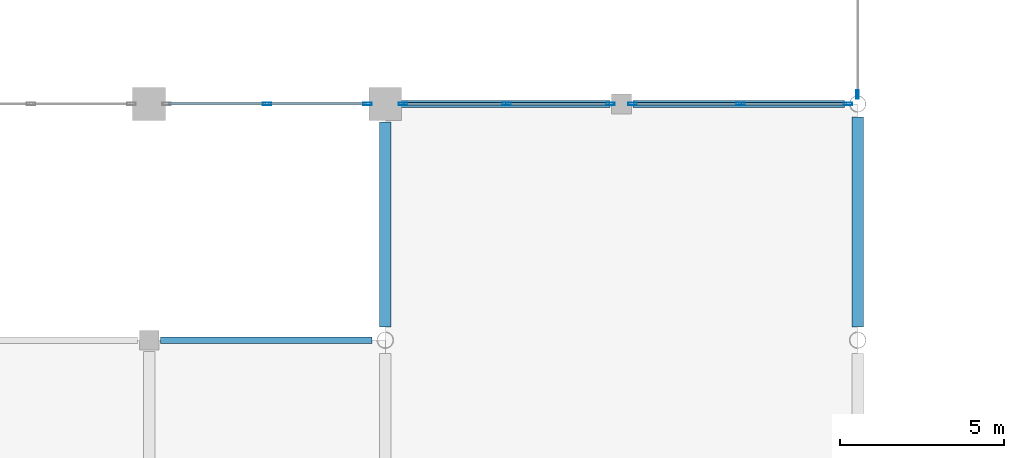
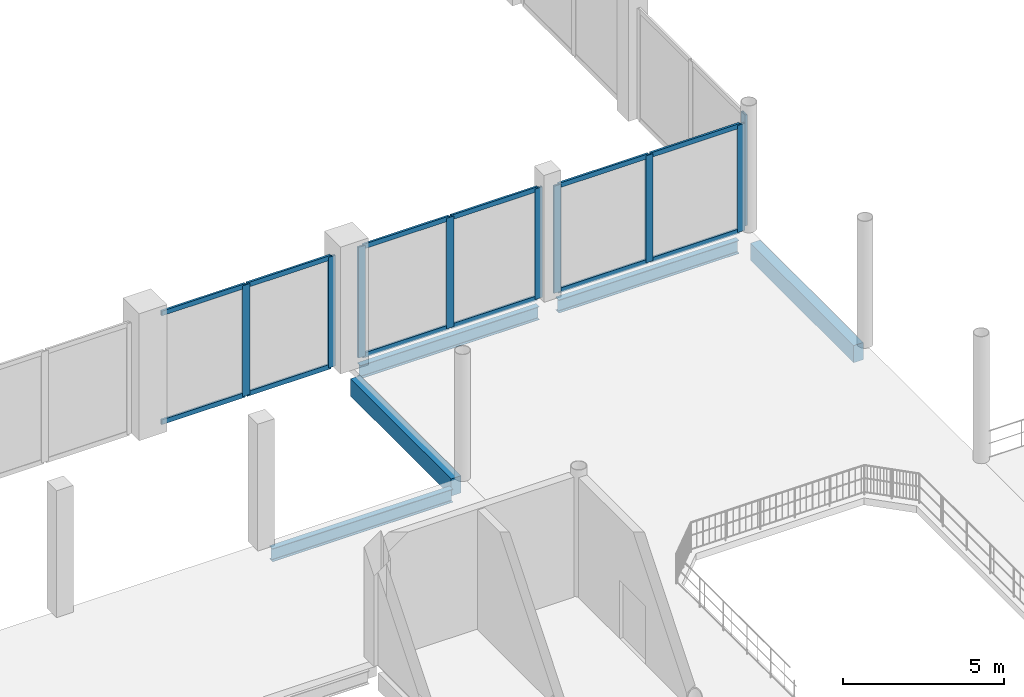
# One storey, part 38 of 99: 21 members, 5 beams, 4 elements without a shape of their own.
"""IFC4 building model written with IfcOpenShell, lengths in metres."""

import ifcopenshell
import ifcopenshell.guid

model = None  # the IFC model being written
_history = None  # IfcOwnerHistory: only IFC2X3 demands one
_inside = {}  # id of a spatial element -> (the spatial element, [elements in it])
_under = {}  # id of a project, library or spatial element -> (it, [spatial elements below it])
_declared = {}  # id of a project -> (the project, [libraries it declares])
_typed = {}  # id of a type object -> (the type object, [elements of that type])
_made_of = {}  # id of a material, layer set ... -> (it, [elements and type objects made of it])


def new_model(schema):
    """Start an empty IFC model of exactly this schema.

    Asked for "IFC4X3", IfcOpenShell would pick the latest addendum, in which some entities
    have other attributes; the version numbers below select the first issue.
    IFC2X3 requires an IfcOwnerHistory on every rooted entity: one is made here for all.
    """
    global model, _history
    if schema == "IFC4X3":
        model = ifcopenshell.file(schema_version=(4, 3, 0, 0))
    else:
        model = ifcopenshell.file(schema=schema)
    _inside.clear()
    _under.clear()
    _declared.clear()
    _typed.clear()
    _made_of.clear()
    _history = None
    if model.schema == "IFC2X3":
        org = make("IfcOrganization", Name="unknown")
        user = make(
            "IfcPersonAndOrganization",
            ThePerson=make("IfcPerson", FamilyName="unknown"),
            TheOrganization=org,
        )
        app = make(
            "IfcApplication",
            ApplicationDeveloper=org,
            Version="unknown",
            ApplicationFullName="unknown",
            ApplicationIdentifier="unknown",
        )
        _history = make(
            "IfcOwnerHistory",
            OwningUser=user,
            OwningApplication=app,
            ChangeAction="ADDED",
            CreationDate=0,
        )
    return model


def make(cls, **values):
    """One entity of the class cls with the attributes given. An attribute that is None is left unset."""
    return model.create_entity(
        cls, **{name: value for name, value in values.items() if value is not None}
    )


def rooted(cls, **values):
    """An entity with a GlobalId (a new one), such as an element, a storey or a relation."""
    return make(cls, GlobalId=ifcopenshell.guid.new(), OwnerHistory=_history, **values)


def si_unit(unit_type, name, prefix=None):
    """IfcSIUnit, for example si_unit("LENGTHUNIT", "METRE", prefix="MILLI")."""
    return make("IfcSIUnit", UnitType=unit_type, Prefix=prefix, Name=name)


def assignment(units):
    """IfcUnitAssignment: the units of a project."""
    return None if units is None else make("IfcUnitAssignment", Units=units)


def point(xyz):
    """IfcCartesianPoint."""
    return None if xyz is None else make("IfcCartesianPoint", Coordinates=xyz)


def direction(xyz):
    """IfcDirection."""
    return None if xyz is None else make("IfcDirection", DirectionRatios=xyz)


def frame(location, z_axis=None, x_axis=None):
    """IfcAxis2Placement3D, a coordinate frame: its origin and axes. An axis left out is left unset."""
    return make(
        "IfcAxis2Placement3D",
        Location=point(location),
        Axis=direction(z_axis),
        RefDirection=direction(x_axis),
    )


def frame_2d(location, x_axis=None):
    """IfcAxis2Placement2D, a coordinate frame in the plane: its origin and x axis."""
    return make(
        "IfcAxis2Placement2D", Location=point(location), RefDirection=direction(x_axis)
    )


def origin():
    """The frame at (0, 0, 0) with its axes left unset."""
    return frame((0.0, 0.0, 0.0))


def origin_2d():
    """The frame at (0, 0) in the plane with its x axis left unset."""
    return frame_2d((0.0, 0.0))


def place(relative_to, where):
    """IfcLocalPlacement: puts the frame where relative to a parent placement (None: the world)."""
    return make(
        "IfcLocalPlacement", PlacementRelTo=relative_to, RelativePlacement=where
    )


def context(
    kind, dimensions, precision=None, world=None, true_north=None, identifier=None
):
    """IfcGeometricRepresentationContext, for example the 3D "Model" context."""
    return make(
        "IfcGeometricRepresentationContext",
        ContextIdentifier=identifier,
        ContextType=kind,
        CoordinateSpaceDimension=dimensions,
        Precision=precision,
        WorldCoordinateSystem=world,
        TrueNorth=true_north,
    )


def subcontext(parent, identifier, kind, view, scale=None):
    """IfcGeometricRepresentationSubContext, for example "Body" below "Model"."""
    return make(
        "IfcGeometricRepresentationSubContext",
        ContextIdentifier=identifier,
        ContextType=kind,
        ParentContext=parent,
        TargetScale=scale,
        TargetView=view,
    )


def project(units=None, contexts=None):
    """IfcProject with its units and contexts."""
    return rooted(
        "IfcProject",
        Name="project",
        RepresentationContexts=contexts,
        UnitsInContext=assignment(units),
    )


def spatial(cls, under=None, at=None, **own):
    """A site, building, storey or space (cls), placed at a placement, below another one or the project."""
    s = rooted(cls, ObjectPlacement=at, **own)
    if under is not None:
        _under.setdefault(under.id(), (under, []))[1].append(s)
    return s


def profile(cls, at=None, kind="AREA", **sizes):
    """A parametric profile (cls). Its sizes go by their IFC names, for example OverallWidth=200.0."""
    return make(cls, ProfileType=kind, Position=at, **sizes)


def rectangle(**sizes):
    """IfcRectangleProfileDef."""
    return profile("IfcRectangleProfileDef", **sizes)


def hollow_rectangle(**sizes):
    """IfcRectangleHollowProfileDef."""
    return profile("IfcRectangleHollowProfileDef", **sizes)


def i_section(**sizes):
    """IfcIShapeProfileDef."""
    return profile("IfcIShapeProfileDef", **sizes)


def extrude(swept, where, along, depth):
    """IfcExtrudedAreaSolid: the profile swept, set in the frame where, extruded along a direction by depth."""
    return make(
        "IfcExtrudedAreaSolid",
        SweptArea=swept,
        Position=where,
        ExtrudedDirection=direction(along),
        Depth=depth,
    )


def shape(context_of_items, identifier, shape_type, items):
    """IfcShapeRepresentation: the items that make up one representation, for example the "Body"."""
    return make(
        "IfcShapeRepresentation",
        ContextOfItems=context_of_items,
        RepresentationIdentifier=identifier,
        RepresentationType=shape_type,
        Items=items,
    )


def material(Name=None, Category=None):
    """IfcMaterial."""
    return make("IfcMaterial", Name=Name, Category=Category)


def material_profile(
    of_material, cross_section, Name=None, Category=None, Priority=None
):
    """IfcMaterialProfile: a cross section and its material."""
    return make(
        "IfcMaterialProfile",
        Name=Name,
        Material=of_material,
        Profile=cross_section,
        Priority=Priority,
        Category=Category,
    )


def profile_set(profiles, Name=None, composite=None):
    """IfcMaterialProfileSet."""
    return make(
        "IfcMaterialProfileSet",
        Name=Name,
        MaterialProfiles=profiles,
        CompositeProfile=composite,
    )


def made_of(thing, what):
    """Note that an element or type object is made of a material, layer set ...; save() writes the relation."""
    if what is not None:
        _made_of.setdefault(what.id(), (what, []))[1].append(thing)
    return thing


def type_object(cls, material=None, **own):
    """A type object (cls), such as IfcWallType, which elements share."""
    return made_of(rooted(cls, **own), material)


def element(
    cls,
    number,
    at=None,
    inside=None,
    cuts=None,
    type_object=None,
    material=None,
    context=None,
    identifier="Body",
    shape_type=None,
    held_by="IfcProductDefinitionShape",
    body=None,
    shapes=None,
    **own,
):
    """One element of the class cls, such as IfcWall. Its Tag is "e" and its number.

    at: its placement. inside: the storey or other place that contains it. cuts: it is an
    opening in that element (IfcRelVoidsElement). A single representation is given by context,
    identifier, shape_type and body (its items); several are given by shapes. held_by: the class
    of the entity that holds the representations. save() writes the other relations.
    """
    e = rooted(cls, Tag="e%d" % number, ObjectPlacement=at, **own)
    if body is not None:
        shapes = [shape(context, identifier, shape_type, body)]
    if shapes is not None:
        e.Representation = make(held_by, Representations=shapes)
    if inside is not None:
        _inside.setdefault(inside.id(), (inside, []))[1].append(e)
    if cuts is not None:
        rooted(
            "IfcRelVoidsElement", RelatingBuildingElement=cuts, RelatedOpeningElement=e
        )
    if type_object is not None:
        _typed.setdefault(type_object.id(), (type_object, []))[1].append(e)
    return made_of(e, material)


def aggregate(whole, parts):
    """IfcRelAggregates: a whole, such as a stair, and the parts it consists of."""
    return rooted("IfcRelAggregates", RelatingObject=whole, RelatedObjects=parts)


def save(model, path):
    """Write the relations noted so far, then the file.

    IfcRelAggregates (storeys below a building ...), IfcRelContainedInSpatialStructure (elements
    in a storey), IfcRelDefinesByType, IfcRelAssociatesMaterial and IfcRelDeclares: one each for
    every whole, place, type object, material and project.
    """
    for whole, parts in _under.values():
        aggregate(whole, parts)
    for where, things in _inside.values():
        rooted(
            "IfcRelContainedInSpatialStructure",
            RelatedElements=things,
            RelatingStructure=where,
        )
    for kind, things in _typed.values():
        rooted("IfcRelDefinesByType", RelatedObjects=things, RelatingType=kind)
    for what, things in _made_of.values():
        rooted("IfcRelAssociatesMaterial", RelatedObjects=things, RelatingMaterial=what)
    for by, libraries in _declared.values():
        rooted("IfcRelDeclares", RelatingContext=by, RelatedDefinitions=libraries)
    model.write(path)


model = new_model("IFC4")

# Units and contexts
model_context = context("Model", 3, precision=1e-05, world=origin(), true_north=direction((0.0, 1.0)))
body_context = subcontext(model_context, "Body", "Model", "MODEL_VIEW")
ifc_project = project(units=[si_unit("LENGTHUNIT", "METRE"), si_unit("AREAUNIT", "SQUARE_METRE"), si_unit("VOLUMEUNIT", "CUBIC_METRE"), si_unit("PLANEANGLEUNIT", "RADIAN"), si_unit("MASSUNIT", "GRAM", prefix="KILO")], contexts=[model_context])

# Site, building, storey
site_placement = place(None, origin())
site = spatial("IfcSite", under=ifc_project, at=site_placement, CompositionType="ELEMENT")
building_placement = place(site_placement, origin())
building = spatial("IfcBuilding", under=site, at=building_placement, Name="Vesperath Aquatics Centre", CompositionType="ELEMENT")
storey_placement = place(building_placement, frame((0.0, 0.0, 5.39990234375)))
storey = spatial("IfcBuildingStorey", under=building, at=storey_placement, Name="L01", CompositionType="ELEMENT", Elevation=5.39990234375)

# Beams
ifc_material_1 = material(Name="Concrete C35", Category="concrete")
ifc_material_profile_1 = material_profile(ifc_material_1, rectangle(XDim=0.35009765625, YDim=0.64990234375, at=origin_2d()), Name="RC 350x650")
ifc_profile_set_1 = profile_set([ifc_material_profile_1], Name="Concrete C35")
beam_type_1 = type_object("IfcBeamType", Name="BM-G05", PredefinedType="BEAM", material=ifc_profile_set_1)
beam_1_placement = place(storey_placement, frame((100.800048828125, 79.60009765625, -0.5849609375), z_axis=(0.0, 1.0, 0.0), x_axis=(-1.0, 0.0, 0.0)))
element("IfcBeam", 1, at=beam_1_placement, inside=storey, type_object=beam_type_1, Name="Floor Girder B05 L01 15 M-N", PredefinedType="BEAM", context=body_context, shape_type="SweptSolid", body=[
    extrude(rectangle(XDim=0.35009765625, YDim=0.64990234375, at=origin_2d()), origin(), (0.0, 0.0, 1.0), 6.25),
])
beam_2_placement = place(storey_placement, frame((115.199951171875, 79.60009765625, -0.5849609375), z_axis=(0.0, 1.0, 0.0), x_axis=(-1.0, 0.0, 0.0)))
element("IfcBeam", 2, at=beam_2_placement, inside=storey, type_object=beam_type_1, Name="Floor Girder B05 L01 17 M-N", PredefinedType="BEAM", context=body_context, shape_type="SweptSolid", body=[
    extrude(rectangle(XDim=0.35009765625, YDim=0.64990234375, at=origin_2d()), origin(), (0.0, 0.0, 1.0), 6.39990234375),
])
ifc_material_2 = material(Name="Steel Q355D", Category="steel")
ifc_material_profile_2 = material_profile(ifc_material_2, i_section(OverallWidth=0.199951171875, OverallDepth=0.5, WebThickness=0.010009765625, FlangeThickness=0.01611328125, FilletRadius=0.02001953125, at=origin_2d()), Name="HN 500x200x10x16")
ifc_profile_set_2 = profile_set([ifc_material_profile_2], Name="Steel Q355D")
beam_type_2 = type_object("IfcBeamType", Name="BM-SP01", PredefinedType="SPANDREL", material=ifc_profile_set_2)
beam_3_placement = place(storey_placement, frame((93.949951171875, 79.199951171875, -0.510009765625), z_axis=(1.0, 0.0, 0.0), x_axis=(0.0, 1.0, 0.0)))
element("IfcBeam", 3, at=beam_3_placement, inside=storey, type_object=beam_type_2, Name="Floor Girder SP01 L01 M 14-15", PredefinedType="SPANDREL", context=body_context, shape_type="SweptSolid", body=[
    extrude(i_section(OverallWidth=0.199951171875, OverallDepth=0.5, WebThickness=0.010009765625, FlangeThickness=0.01611328125, FilletRadius=0.02001953125, at=origin_2d()), origin(), (0.0, 0.0, 1.0), 6.449951171875),
])
beam_4_placement = place(storey_placement, frame((101.25, 86.39990234375, -0.510009765625), z_axis=(1.0, 0.0, 0.0), x_axis=(0.0, 1.0, 0.0)))
element("IfcBeam", 4, at=beam_4_placement, inside=storey, type_object=beam_type_2, Name="Floor Girder SP01 L01 N 15-16", PredefinedType="SPANDREL", context=body_context, shape_type="SweptSolid", body=[
    extrude(i_section(OverallWidth=0.199951171875, OverallDepth=0.5, WebThickness=0.010009765625, FlangeThickness=0.01611328125, FilletRadius=0.02001953125, at=origin_2d()), origin(), (0.0, 0.0, 1.0), 6.39990234375),
])
beam_5_placement = place(storey_placement, frame((108.35009765625, 86.39990234375, -0.510009765625), z_axis=(1.0, 0.0, 0.0), x_axis=(0.0, 1.0, 0.0)))
element("IfcBeam", 5, at=beam_5_placement, inside=storey, type_object=beam_type_2, Name="Floor Girder SP01 L01 N 16-17", PredefinedType="SPANDREL", context=body_context, shape_type="SweptSolid", body=[
    extrude(i_section(OverallWidth=0.199951171875, OverallDepth=0.5, WebThickness=0.010009765625, FlangeThickness=0.01611328125, FilletRadius=0.02001953125, at=origin_2d()), origin(), (0.0, 0.0, 1.0), 6.449951171875),
])

# Curtain wall, members
ifc_material_3 = material(Name="Thermally broken anodised bronze aluminium curtain wall", Category="aluminium")
curtain_wall_type_1 = type_object("IfcCurtainWallType", Name="CW-02", PredefinedType="NOTDEFINED", material=ifc_material_3)
curtain_wall_1_placement = place(storey_placement, origin())
curtain_wall_1 = element("IfcCurtainWall", 6, at=curtain_wall_1_placement, inside=storey, type_object=curtain_wall_type_1, Name="Facade Curtain Wall CW02 L01_N_13_12", PredefinedType="NOTDEFINED")
ifc_material_4 = material(Name="Thermally broken anodised aluminium", Category="aluminium")
ifc_material_profile_3 = material_profile(ifc_material_4, hollow_rectangle(XDim=0.074951171875, YDim=0.260009765625, WallThickness=0.006103515625, at=origin_2d()), Name="CWM 75x260x6")
ifc_profile_set_3 = profile_set([ifc_material_profile_3], Name="Thermally broken anodised aluminium")
member_type_1 = type_object("IfcMemberType", Name="MB-CWM1", PredefinedType="MULLION", material=ifc_profile_set_3)
member_1_placement = place(storey_placement, frame((97.199951171875, 86.39990234375, 0.0), z_axis=(0.0, 0.0, 1.0), x_axis=(0.0, 1.0, 0.0)))
member_1 = element("IfcMember", 7, at=member_1_placement, type_object=member_type_1, Name="CW02 mullion 2", PredefinedType="MULLION", context=body_context, shape_type="SweptSolid", body=[
    extrude(hollow_rectangle(XDim=0.074951171875, YDim=0.260009765625, WallThickness=0.006103515625, at=origin_2d()), origin(), (0.0, 0.0, 1.0), 4.190185546875),
])
member_2_placement = place(storey_placement, frame((100.262451171875, 86.39990234375, 0.0), z_axis=(0.0, 0.0, 1.0), x_axis=(0.0, 1.0, 0.0)))
member_2 = element("IfcMember", 8, at=member_2_placement, type_object=member_type_1, Name="CW02 mullion 3", PredefinedType="MULLION", context=body_context, shape_type="SweptSolid", body=[
    extrude(hollow_rectangle(XDim=0.074951171875, YDim=0.260009765625, WallThickness=0.006103515625, at=origin_2d()), origin(), (0.0, 0.0, 1.0), 4.190185546875),
])

curtain_wall_type_2 = type_object("IfcCurtainWallType", Name="CW-06", PredefinedType="NOTDEFINED", material=ifc_material_3)
curtain_wall_2_placement = place(storey_placement, origin())
curtain_wall_2 = element("IfcCurtainWall", 9, at=curtain_wall_2_placement, inside=storey, type_object=curtain_wall_type_2, Name="Facade Curtain Wall CW06 L01_N_14_12", PredefinedType="NOTDEFINED")
member_3_placement = place(storey_placement, frame((101.33740234375, 86.39990234375, 0.0), z_axis=(0.0, 0.0, 1.0), x_axis=(0.0, 1.0, 0.0)))
member_3 = element("IfcMember", 10, at=member_3_placement, type_object=member_type_1, Name="CW06 mullion 1", PredefinedType="MULLION", context=body_context, shape_type="SweptSolid", body=[
    extrude(hollow_rectangle(XDim=0.074951171875, YDim=0.260009765625, WallThickness=0.006103515625, at=origin_2d()), origin(), (0.0, 0.0, 1.0), 4.190185546875),
])
member_4_placement = place(storey_placement, frame((104.5, 86.39990234375, 0.0), z_axis=(0.0, 0.0, 1.0), x_axis=(0.0, 1.0, 0.0)))
member_4 = element("IfcMember", 11, at=member_4_placement, type_object=member_type_1, Name="CW06 mullion 2", PredefinedType="MULLION", context=body_context, shape_type="SweptSolid", body=[
    extrude(hollow_rectangle(XDim=0.074951171875, YDim=0.260009765625, WallThickness=0.006103515625, at=origin_2d()), origin(), (0.0, 0.0, 1.0), 4.190185546875),
])
member_5_placement = place(storey_placement, frame((107.66259765625, 86.39990234375, 0.0), z_axis=(0.0, 0.0, 1.0), x_axis=(0.0, 1.0, 0.0)))
member_5 = element("IfcMember", 12, at=member_5_placement, type_object=member_type_1, Name="CW06 mullion 3", PredefinedType="MULLION", context=body_context, shape_type="SweptSolid", body=[
    extrude(hollow_rectangle(XDim=0.074951171875, YDim=0.260009765625, WallThickness=0.006103515625, at=origin_2d()), origin(), (0.0, 0.0, 1.0), 4.190185546875),
])

curtain_wall_3_placement = place(storey_placement, origin())
curtain_wall_3 = element("IfcCurtainWall", 13, at=curtain_wall_3_placement, inside=storey, type_object=curtain_wall_type_2, Name="Facade Curtain Wall CW06 L01_N_15_12", PredefinedType="NOTDEFINED")
member_6_placement = place(storey_placement, frame((108.33740234375, 86.39990234375, 0.0), z_axis=(0.0, 0.0, 1.0), x_axis=(0.0, 1.0, 0.0)))
member_6 = element("IfcMember", 14, at=member_6_placement, type_object=member_type_1, Name="CW06 mullion 1", PredefinedType="MULLION", context=body_context, shape_type="SweptSolid", body=[
    extrude(hollow_rectangle(XDim=0.074951171875, YDim=0.260009765625, WallThickness=0.006103515625, at=origin_2d()), origin(), (0.0, 0.0, 1.0), 4.052001953125),
])
member_7_placement = place(storey_placement, frame((111.623046875, 86.39990234375, 0.0), z_axis=(0.0, 0.0, 1.0), x_axis=(0.0, 1.0, 0.0)))
member_7 = element("IfcMember", 15, at=member_7_placement, type_object=member_type_1, Name="CW06 mullion 2", PredefinedType="MULLION", context=body_context, shape_type="SweptSolid", body=[
    extrude(hollow_rectangle(XDim=0.074951171875, YDim=0.260009765625, WallThickness=0.006103515625, at=origin_2d()), origin(), (0.0, 0.0, 1.0), 4.052001953125),
])
member_8_placement = place(storey_placement, frame((114.908447265625, 86.39990234375, 0.0), z_axis=(0.0, 0.0, 1.0), x_axis=(0.0, 1.0, 0.0)))
member_8 = element("IfcMember", 16, at=member_8_placement, type_object=member_type_1, Name="CW06 mullion 3", PredefinedType="MULLION", context=body_context, shape_type="SweptSolid", body=[
    extrude(hollow_rectangle(XDim=0.074951171875, YDim=0.260009765625, WallThickness=0.006103515625, at=origin_2d()), origin(), (0.0, 0.0, 1.0), 4.052001953125),
])

# Curtain wall, member
curtain_wall_4_placement = place(storey_placement, origin())
curtain_wall_4 = element("IfcCurtainWall", 17, at=curtain_wall_4_placement, inside=storey, type_object=curtain_wall_type_2, Name="Facade Curtain Wall CW06 L01_W_16_12", PredefinedType="NOTDEFINED")
member_9_placement = place(storey_placement, frame((115.199951171875, 86.69140625, 0.0), z_axis=(0.0, 0.0, 1.0), x_axis=(-1.0, 0.0, 0.0)))
member_9 = element("IfcMember", 18, at=member_9_placement, type_object=member_type_1, Name="CW06 mullion 1", PredefinedType="MULLION", context=body_context, shape_type="SweptSolid", body=[
    extrude(hollow_rectangle(XDim=0.074951171875, YDim=0.260009765625, WallThickness=0.006103515625, at=origin_2d()), origin(), (0.0, 0.0, 1.0), 4.190185546875),
])
aggregate(curtain_wall_4, [member_9])

# Member
ifc_material_profile_4 = material_profile(ifc_material_4, hollow_rectangle(XDim=0.074951171875, YDim=0.179931640625, WallThickness=0.0048828125, at=origin_2d()), Name="CWT 75x180x5")
ifc_profile_set_4 = profile_set([ifc_material_profile_4], Name="Thermally broken anodised aluminium")
member_type_2 = type_object("IfcMemberType", Name="MB-CWT1", PredefinedType="USERDEFINED", material=ifc_profile_set_4)
member_10_placement = place(storey_placement, frame((94.175048828125, 86.39990234375, 0.03759765625), z_axis=(1.0, 0.0, 0.0), x_axis=(0.0, 1.0, 0.0)))
member_10 = element("IfcMember", 19, at=member_10_placement, type_object=member_type_2, Name="CW02 transom 1.1", ObjectType="TRANSOM", PredefinedType="USERDEFINED", context=body_context, shape_type="SweptSolid", body=[
    extrude(hollow_rectangle(XDim=0.074951171875, YDim=0.179931640625, WallThickness=0.0048828125, at=origin_2d()), origin(), (0.0, 0.0, 1.0), 2.987548828125),
])

member_11_placement = place(storey_placement, frame((94.175048828125, 86.39990234375, 4.152587890625), z_axis=(1.0, 0.0, 0.0), x_axis=(0.0, 1.0, 0.0)))
member_11 = element("IfcMember", 20, at=member_11_placement, type_object=member_type_2, Name="CW02 transom 1.2", ObjectType="TRANSOM", PredefinedType="USERDEFINED", context=body_context, shape_type="SweptSolid", body=[
    extrude(hollow_rectangle(XDim=0.074951171875, YDim=0.179931640625, WallThickness=0.0048828125, at=origin_2d()), origin(), (0.0, 0.0, 1.0), 2.987548828125),
])

member_12_placement = place(storey_placement, frame((97.237548828125, 86.39990234375, 0.03759765625), z_axis=(1.0, 0.0, 0.0), x_axis=(0.0, 1.0, 0.0)))
member_12 = element("IfcMember", 21, at=member_12_placement, type_object=member_type_2, Name="CW02 transom 2.1", ObjectType="TRANSOM", PredefinedType="USERDEFINED", context=body_context, shape_type="SweptSolid", body=[
    extrude(hollow_rectangle(XDim=0.074951171875, YDim=0.179931640625, WallThickness=0.0048828125, at=origin_2d()), origin(), (0.0, 0.0, 1.0), 2.987548828125),
])

member_13_placement = place(storey_placement, frame((97.237548828125, 86.39990234375, 4.152587890625), z_axis=(1.0, 0.0, 0.0), x_axis=(0.0, 1.0, 0.0)))
member_13 = element("IfcMember", 22, at=member_13_placement, type_object=member_type_2, Name="CW02 transom 2.2", ObjectType="TRANSOM", PredefinedType="USERDEFINED", context=body_context, shape_type="SweptSolid", body=[
    extrude(hollow_rectangle(XDim=0.074951171875, YDim=0.179931640625, WallThickness=0.0048828125, at=origin_2d()), origin(), (0.0, 0.0, 1.0), 2.987548828125),
])

aggregate(curtain_wall_1, [member_1, member_2, member_10, member_11, member_12, member_13])

member_14_placement = place(storey_placement, frame((101.375, 86.39990234375, 0.03759765625), z_axis=(1.0, 0.0, 0.0), x_axis=(0.0, 1.0, 0.0)))
member_14 = element("IfcMember", 23, at=member_14_placement, type_object=member_type_2, Name="CW06 transom 1.1", ObjectType="TRANSOM", PredefinedType="USERDEFINED", context=body_context, shape_type="SweptSolid", body=[
    extrude(hollow_rectangle(XDim=0.074951171875, YDim=0.179931640625, WallThickness=0.0048828125, at=origin_2d()), origin(), (0.0, 0.0, 1.0), 3.08740234375),
])

member_15_placement = place(storey_placement, frame((101.375, 86.39990234375, 4.152587890625), z_axis=(1.0, 0.0, 0.0), x_axis=(0.0, 1.0, 0.0)))
member_15 = element("IfcMember", 24, at=member_15_placement, type_object=member_type_2, Name="CW06 transom 1.2", ObjectType="TRANSOM", PredefinedType="USERDEFINED", context=body_context, shape_type="SweptSolid", body=[
    extrude(hollow_rectangle(XDim=0.074951171875, YDim=0.179931640625, WallThickness=0.0048828125, at=origin_2d()), origin(), (0.0, 0.0, 1.0), 3.08740234375),
])

member_16_placement = place(storey_placement, frame((104.53759765625, 86.39990234375, 0.03759765625), z_axis=(1.0, 0.0, 0.0), x_axis=(0.0, 1.0, 0.0)))
member_16 = element("IfcMember", 25, at=member_16_placement, type_object=member_type_2, Name="CW06 transom 2.1", ObjectType="TRANSOM", PredefinedType="USERDEFINED", context=body_context, shape_type="SweptSolid", body=[
    extrude(hollow_rectangle(XDim=0.074951171875, YDim=0.179931640625, WallThickness=0.0048828125, at=origin_2d()), origin(), (0.0, 0.0, 1.0), 3.08740234375),
])

member_17_placement = place(storey_placement, frame((104.53759765625, 86.39990234375, 4.152587890625), z_axis=(1.0, 0.0, 0.0), x_axis=(0.0, 1.0, 0.0)))
member_17 = element("IfcMember", 26, at=member_17_placement, type_object=member_type_2, Name="CW06 transom 2.2", ObjectType="TRANSOM", PredefinedType="USERDEFINED", context=body_context, shape_type="SweptSolid", body=[
    extrude(hollow_rectangle(XDim=0.074951171875, YDim=0.179931640625, WallThickness=0.0048828125, at=origin_2d()), origin(), (0.0, 0.0, 1.0), 3.08740234375),
])

aggregate(curtain_wall_2, [member_3, member_4, member_5, member_14, member_15, member_16, member_17])

member_18_placement = place(storey_placement, frame((108.375, 86.39990234375, 0.03759765625), z_axis=(1.0, 0.0, 0.0), x_axis=(0.0, 1.0, 0.0)))
member_18 = element("IfcMember", 27, at=member_18_placement, type_object=member_type_2, Name="CW06 transom 1.1", ObjectType="TRANSOM", PredefinedType="USERDEFINED", context=body_context, shape_type="SweptSolid", body=[
    extrude(hollow_rectangle(XDim=0.074951171875, YDim=0.179931640625, WallThickness=0.0048828125, at=origin_2d()), origin(), (0.0, 0.0, 1.0), 3.21044921875),
])

member_19_placement = place(storey_placement, frame((108.375, 86.39990234375, 4.0146484375), z_axis=(1.0, 0.0, 0.0), x_axis=(0.0, 1.0, 0.0)))
member_19 = element("IfcMember", 28, at=member_19_placement, type_object=member_type_2, Name="CW06 transom 1.2", ObjectType="TRANSOM", PredefinedType="USERDEFINED", context=body_context, shape_type="SweptSolid", body=[
    extrude(hollow_rectangle(XDim=0.074951171875, YDim=0.179931640625, WallThickness=0.0048828125, at=origin_2d()), origin(), (0.0, 0.0, 1.0), 3.21044921875),
])

member_20_placement = place(storey_placement, frame((111.660400390625, 86.39990234375, 0.03759765625), z_axis=(1.0, 0.0, 0.0), x_axis=(0.0, 1.0, 0.0)))
member_20 = element("IfcMember", 29, at=member_20_placement, type_object=member_type_2, Name="CW06 transom 2.1", ObjectType="TRANSOM", PredefinedType="USERDEFINED", context=body_context, shape_type="SweptSolid", body=[
    extrude(hollow_rectangle(XDim=0.074951171875, YDim=0.179931640625, WallThickness=0.0048828125, at=origin_2d()), origin(), (0.0, 0.0, 1.0), 3.210693359375),
])

member_21_placement = place(storey_placement, frame((111.660400390625, 86.39990234375, 4.0146484375), z_axis=(1.0, 0.0, 0.0), x_axis=(0.0, 1.0, 0.0)))
member_21 = element("IfcMember", 30, at=member_21_placement, type_object=member_type_2, Name="CW06 transom 2.2", ObjectType="TRANSOM", PredefinedType="USERDEFINED", context=body_context, shape_type="SweptSolid", body=[
    extrude(hollow_rectangle(XDim=0.074951171875, YDim=0.179931640625, WallThickness=0.0048828125, at=origin_2d()), origin(), (0.0, 0.0, 1.0), 3.210693359375),
])

aggregate(curtain_wall_3, [member_6, member_7, member_8, member_18, member_19, member_20, member_21])

save(model, "model.ifc")
